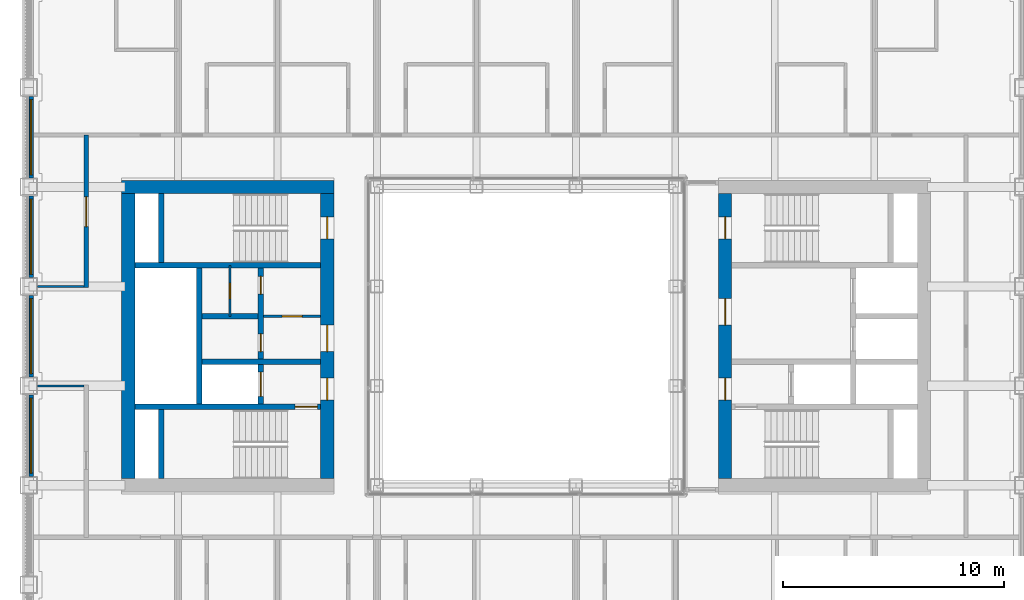
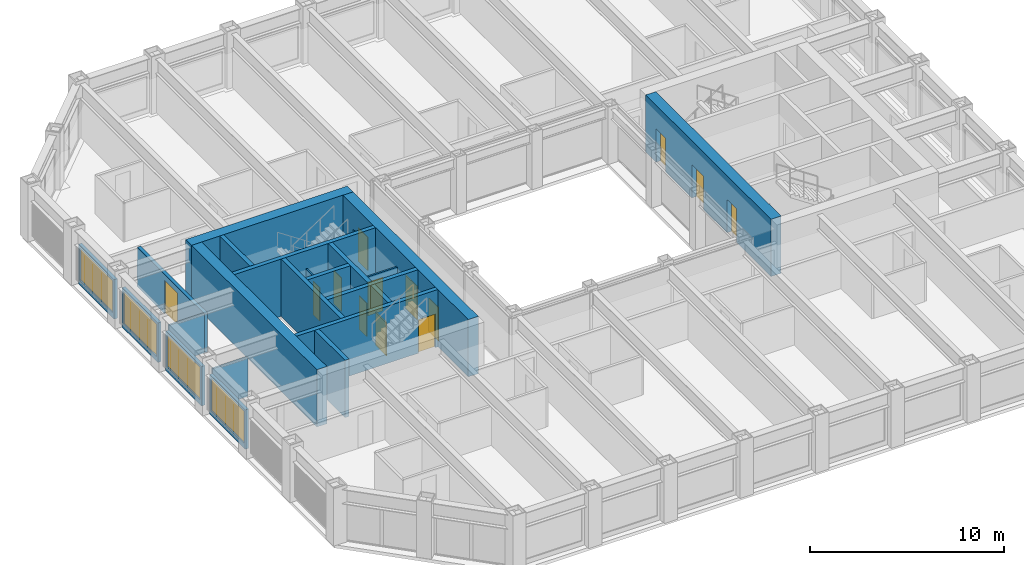
# One storey, part 11 of 17: 21 walls, 13 doors, 4 windows, 17 openings.
"""IFC4 building model written with IfcOpenShell, lengths in metres."""

from ifc_helpers import new_model, si_unit, direction, frame, frame_2d, origin, place, context, subcontext, project, spatial, rectangle, extrude, material, layer, layer_set, type_object, element, fill, save


model = new_model("IFC4")

# Units and contexts
model_context = context("Model", 3, precision=1e-05, world=origin(), true_north=direction((0.0, 1.0)))
body_context = subcontext(model_context, "Body", "Model", "MODEL_VIEW")
ifc_project = project(units=[si_unit("LENGTHUNIT", "METRE"), si_unit("AREAUNIT", "SQUARE_METRE"), si_unit("VOLUMEUNIT", "CUBIC_METRE"), si_unit("PLANEANGLEUNIT", "RADIAN"), si_unit("MASSUNIT", "GRAM", prefix="KILO")], contexts=[model_context])

# Site, building, storey
site_placement = place(None, origin())
site = spatial("IfcSite", under=ifc_project, at=site_placement, CompositionType="ELEMENT")
building_placement = place(site_placement, origin())
building = spatial("IfcBuilding", under=site, at=building_placement, Name="Msasa Ring Tower", CompositionType="ELEMENT")
storey_placement = place(building_placement, frame((0.0, 0.0, 143.60009765625)))
storey = spatial("IfcBuildingStorey", under=building, at=storey_placement, Name="L37", CompositionType="ELEMENT", Elevation=143.60009765625)

# Wall, openings, doors
ifc_material_1 = material(Name="Concrete C60/75", Category="concrete")
ifc_layer_1 = layer(ifc_material_1, 0.60009765625)
ifc_layer_set_1 = layer_set([ifc_layer_1], Name="CW2 CORE WALL 600")
wall_type_1 = type_object("IfcWallType", Name="CW2 CORE WALL 600", PredefinedType="SHEAR", material=ifc_layer_set_1)
wall_1_placement = place(storey_placement, frame((9.0, -6.449951171875, 0.0), z_axis=(0.0, 0.0, 1.0), x_axis=(0.0, 1.0, 0.0)))
wall_1 = element("IfcWall", 1, at=wall_1_placement, inside=storey, type_object=wall_type_1, Name="E core wall W L37", PredefinedType="SHEAR", context=body_context, shape_type="SweptSolid", body=[
    extrude(rectangle(XDim=12.89990234375, YDim=0.60009765625, at=frame_2d((6.449951171875, 0.0))), origin(), (0.0, 0.0, 1.0), 3.599853515625),
])
opening_1_placement = place(wall_1_placement, frame((3.550048828125, 0.0, 0.0)))
opening_1 = element("IfcOpeningElement", 2, at=opening_1_placement, cuts=wall_1, Name="Opening HC-029", PredefinedType="OPENING", context=body_context, shape_type="SweptSolid", body=[
    extrude(rectangle(XDim=1.0, YDim=2.10009765625, at=frame_2d((0.5, 1.050048828125))), frame((0.0, 0.31005859375, 0.0), z_axis=(0.0, -1.0, 0.0), x_axis=(1.0, 0.0, 0.0)), (0.0, 0.0, 1.0), 0.6201171875),
])
opening_2_placement = place(wall_1_placement, frame((6.949951171875, 0.0, 0.0)))
opening_2 = element("IfcOpeningElement", 3, at=opening_2_placement, cuts=wall_1, Name="Opening HC-023", PredefinedType="OPENING", context=body_context, shape_type="SweptSolid", body=[
    extrude(rectangle(XDim=1.199951171875, YDim=2.10009765625, at=frame_2d((0.60009765625, 1.050048828125))), frame((0.0, 0.31005859375, 0.0), z_axis=(0.0, -1.0, 0.0), x_axis=(1.0, 0.0, 0.0)), (0.0, 0.0, 1.0), 0.6201171875),
])
opening_3_placement = place(wall_1_placement, frame((10.85009765625, 0.0, 0.0)))
opening_3 = element("IfcOpeningElement", 4, at=opening_3_placement, cuts=wall_1, Name="Opening HC-020", PredefinedType="OPENING", context=body_context, shape_type="SweptSolid", body=[
    extrude(rectangle(XDim=1.0, YDim=2.10009765625, at=frame_2d((0.5, 1.050048828125))), frame((0.0, 0.31005859375, 0.0), z_axis=(0.0, -1.0, 0.0), x_axis=(1.0, 0.0, 0.0)), (0.0, 0.0, 1.0), 0.6201171875),
])
ifc_material_2 = material(Name="Timber door leaf in a steel frame", Category="steel")
door_type_1 = type_object("IfcDoorType", Name="D4 LOBBY DOOR 1000x2100", OperationType="SINGLE_SWING_LEFT", PredefinedType="DOOR", material=ifc_material_2)
door_1_placement = place(opening_1_placement, origin())
door_1 = element("IfcDoor", 5, at=door_1_placement, inside=storey, type_object=door_type_1, Name="Door L37-EFFL", OperationType="SINGLE_SWING_LEFT", OverallHeight=2.10009765625, OverallWidth=1.0, PredefinedType="DOOR", context=body_context, shape_type="SweptSolid", body=[
    extrude(rectangle(XDim=1.0, YDim=2.10009765625, at=frame_2d((0.5, 1.050048828125))), frame((0.0, 0.02490234375, 0.0), z_axis=(0.0, -1.0, 0.0), x_axis=(1.0, 0.0, 0.0)), (0.0, 0.0, 1.0), 0.050048828125),
])
fill(opening_1, door_1)
ifc_material_3 = material(Name="Timber door leaf in a steel frame", Category="steel")
door_type_2 = type_object("IfcDoorType", Name="D5 WIDE LOBBY DOOR 1200x2100", OperationType="SINGLE_SWING_LEFT", PredefinedType="DOOR", material=ifc_material_3)
door_2_placement = place(opening_2_placement, origin())
door_2 = element("IfcDoor", 6, at=door_2_placement, inside=storey, type_object=door_type_2, Name="Door L37-ELL", OperationType="SINGLE_SWING_RIGHT", OverallHeight=2.10009765625, OverallWidth=1.199951171875, PredefinedType="DOOR", context=body_context, shape_type="SweptSolid", body=[
    extrude(rectangle(XDim=1.199951171875, YDim=2.10009765625, at=frame_2d((0.60009765625, 1.050048828125))), frame((0.0, 0.02490234375, 0.0), z_axis=(0.0, -1.0, 0.0), x_axis=(1.0, 0.0, 0.0)), (0.0, 0.0, 1.0), 0.050048828125),
])
fill(opening_2, door_2)
ifc_material_4 = material(Name="Timber door leaf in a steel frame", Category="steel")
door_type_3 = type_object("IfcDoorType", Name="D6 STAIR DOOR 1000x2100", OperationType="SINGLE_SWING_LEFT", PredefinedType="DOOR", material=ifc_material_4)
door_3_placement = place(opening_3_placement, origin())
door_3 = element("IfcDoor", 7, at=door_3_placement, inside=storey, type_object=door_type_3, Name="Door L37-ESTB", OperationType="SINGLE_SWING_RIGHT", OverallHeight=2.10009765625, OverallWidth=1.0, PredefinedType="DOOR", context=body_context, shape_type="SweptSolid", body=[
    extrude(rectangle(XDim=1.0, YDim=2.10009765625, at=frame_2d((0.5, 1.050048828125))), frame((0.0, 0.02490234375, 0.0), z_axis=(0.0, -1.0, 0.0), x_axis=(1.0, 0.0, 0.0)), (0.0, 0.0, 1.0), 0.050048828125),
])
fill(opening_3, door_3)

# Wall
wall_2_placement = place(storey_placement, frame((-8.699951171875, 6.75, 0.0), z_axis=(0.0, 0.0, 1.0), x_axis=(-1.0, 0.0, 0.0)))
element("IfcWall", 8, at=wall_2_placement, inside=storey, type_object=wall_type_1, Name="W core wall N L37", PredefinedType="SHEAR", context=body_context, shape_type="SweptSolid", body=[
    extrude(rectangle(XDim=9.60009765625, YDim=0.60009765625, at=frame_2d((4.800048828125, 0.0))), origin(), (0.0, 0.0, 1.0), 3.599853515625),
])

# Wall, openings, doors
wall_3_placement = place(storey_placement, frame((-9.0, -6.449951171875, 0.0), z_axis=(0.0, 0.0, 1.0), x_axis=(0.0, 1.0, 0.0)))
wall_3 = element("IfcWall", 9, at=wall_3_placement, inside=storey, type_object=wall_type_1, Name="W core wall W L37", PredefinedType="SHEAR", context=body_context, shape_type="SweptSolid", body=[
    extrude(rectangle(XDim=12.89990234375, YDim=0.60009765625, at=frame_2d((6.449951171875, 0.0))), origin(), (0.0, 0.0, 1.0), 3.599853515625),
])
opening_4_placement = place(wall_3_placement, frame((3.550048828125, 0.0, 0.0)))
opening_4 = element("IfcOpeningElement", 10, at=opening_4_placement, cuts=wall_3, Name="Opening HC-028", PredefinedType="OPENING", context=body_context, shape_type="SweptSolid", body=[
    extrude(rectangle(XDim=1.0, YDim=2.10009765625, at=frame_2d((0.5, 1.050048828125))), frame((0.0, 0.31005859375, 0.0), z_axis=(0.0, -1.0, 0.0), x_axis=(1.0, 0.0, 0.0)), (0.0, 0.0, 1.0), 0.6201171875),
])
opening_5_placement = place(wall_3_placement, frame((5.75, 0.0, 0.0)))
opening_5 = element("IfcOpeningElement", 11, at=opening_5_placement, cuts=wall_3, Name="Opening HC-026", PredefinedType="OPENING", context=body_context, shape_type="SweptSolid", body=[
    extrude(rectangle(XDim=1.199951171875, YDim=2.10009765625, at=frame_2d((0.60009765625, 1.050048828125))), frame((0.0, 0.31005859375, 0.0), z_axis=(0.0, -1.0, 0.0), x_axis=(1.0, 0.0, 0.0)), (0.0, 0.0, 1.0), 0.6201171875),
])
opening_6_placement = place(wall_3_placement, frame((10.85009765625, 0.0, 0.0)))
opening_6 = element("IfcOpeningElement", 12, at=opening_6_placement, cuts=wall_3, Name="Opening HC-019", PredefinedType="OPENING", context=body_context, shape_type="SweptSolid", body=[
    extrude(rectangle(XDim=1.0, YDim=2.10009765625, at=frame_2d((0.5, 1.050048828125))), frame((0.0, 0.31005859375, 0.0), z_axis=(0.0, -1.0, 0.0), x_axis=(1.0, 0.0, 0.0)), (0.0, 0.0, 1.0), 0.6201171875),
])
door_4_placement = place(opening_4_placement, origin())
door_4 = element("IfcDoor", 13, at=door_4_placement, inside=storey, type_object=door_type_1, Name="Door L37-WFFL", OperationType="SINGLE_SWING_LEFT", OverallHeight=2.10009765625, OverallWidth=1.0, PredefinedType="DOOR", context=body_context, shape_type="SweptSolid", body=[
    extrude(rectangle(XDim=1.0, YDim=2.10009765625, at=frame_2d((0.5, 1.050048828125))), frame((0.0, 0.02490234375, 0.0), z_axis=(0.0, -1.0, 0.0), x_axis=(1.0, 0.0, 0.0)), (0.0, 0.0, 1.0), 0.050048828125),
])
fill(opening_4, door_4)
door_5_placement = place(opening_5_placement, origin())
door_5 = element("IfcDoor", 14, at=door_5_placement, inside=storey, type_object=door_type_2, Name="Door L37-WLL", OperationType="SINGLE_SWING_LEFT", OverallHeight=2.10009765625, OverallWidth=1.199951171875, PredefinedType="DOOR", context=body_context, shape_type="SweptSolid", body=[
    extrude(rectangle(XDim=1.199951171875, YDim=2.10009765625, at=frame_2d((0.60009765625, 1.050048828125))), frame((0.0, 0.02490234375, 0.0), z_axis=(0.0, -1.0, 0.0), x_axis=(1.0, 0.0, 0.0)), (0.0, 0.0, 1.0), 0.050048828125),
])
fill(opening_5, door_5)
door_6_placement = place(opening_6_placement, origin())
door_6 = element("IfcDoor", 15, at=door_6_placement, inside=storey, type_object=door_type_3, Name="Door L37-WSTB", OperationType="SINGLE_SWING_RIGHT", OverallHeight=2.10009765625, OverallWidth=1.0, PredefinedType="DOOR", context=body_context, shape_type="SweptSolid", body=[
    extrude(rectangle(XDim=1.0, YDim=2.10009765625, at=frame_2d((0.5, 1.050048828125))), frame((0.0, 0.02490234375, 0.0), z_axis=(0.0, -1.0, 0.0), x_axis=(1.0, 0.0, 0.0)), (0.0, 0.0, 1.0), 0.050048828125),
])
fill(opening_6, door_6)

# Wall
wall_4_placement = place(storey_placement, frame((-18.0, -6.449951171875, 0.0), z_axis=(0.0, 0.0, 1.0), x_axis=(0.0, 1.0, 0.0)))
element("IfcWall", 16, at=wall_4_placement, inside=storey, type_object=wall_type_1, Name="W core wall E L37", PredefinedType="SHEAR", context=body_context, shape_type="SweptSolid", body=[
    extrude(rectangle(XDim=12.89990234375, YDim=0.60009765625, at=frame_2d((6.449951171875, 0.0))), origin(), (0.0, 0.0, 1.0), 3.599853515625),
])

# Wall, opening, door
ifc_material_5 = material(Name="Concrete C60/75", Category="concrete")
ifc_layer_2 = layer(ifc_material_5, 0.25)
ifc_layer_set_2 = layer_set([ifc_layer_2], Name="CW4 CORE INNER WALL 250")
wall_type_2 = type_object("IfcWallType", Name="CW4 CORE INNER WALL 250", PredefinedType="SHEAR", material=ifc_layer_set_2)
wall_5_placement = place(storey_placement, frame((-9.300048828125, -3.199951171875, 0.0), z_axis=(0.0, 0.0, 1.0), x_axis=(-1.0, 0.0, 0.0)))
wall_5 = element("IfcWall", 17, at=wall_5_placement, inside=storey, type_object=wall_type_2, Name="W core wall STAIRA L37", PredefinedType="SHEAR", context=body_context, shape_type="SweptSolid", body=[
    extrude(rectangle(XDim=8.39990234375, YDim=0.25, at=frame_2d((4.199951171875, 0.0))), origin(), (0.0, 0.0, 1.0), 3.599853515625),
])
opening_7_placement = place(wall_5_placement, frame((0.14990234375, 0.0, 0.0)))
opening_7 = element("IfcOpeningElement", 18, at=opening_7_placement, cuts=wall_5, Name="Opening HC-030", PredefinedType="OPENING", context=body_context, shape_type="SweptSolid", body=[
    extrude(rectangle(XDim=1.0, YDim=2.10009765625, at=frame_2d((0.5, 1.050048828125))), frame((0.0, 0.135009765625, 0.0), z_axis=(0.0, -1.0, 0.0), x_axis=(1.0, 0.0, 0.0)), (0.0, 0.0, 1.0), 0.27001953125),
])
door_7_placement = place(opening_7_placement, origin())
door_7 = element("IfcDoor", 19, at=door_7_placement, inside=storey, type_object=door_type_3, Name="Door L37-WSTA", OperationType="SINGLE_SWING_LEFT", OverallHeight=2.10009765625, OverallWidth=1.0, PredefinedType="DOOR", context=body_context, shape_type="SweptSolid", body=[
    extrude(rectangle(XDim=1.0, YDim=2.10009765625, at=frame_2d((0.5, 1.050048828125))), frame((0.0, 0.02490234375, 0.0), z_axis=(0.0, -1.0, 0.0), x_axis=(1.0, 0.0, 0.0)), (0.0, 0.0, 1.0), 0.050048828125),
])
fill(opening_7, door_7)

# Walls
wall_6_placement = place(storey_placement, frame((-9.300048828125, 3.199951171875, 0.0), z_axis=(0.0, 0.0, 1.0), x_axis=(-1.0, 0.0, 0.0)))
element("IfcWall", 20, at=wall_6_placement, inside=storey, type_object=wall_type_2, Name="W core wall STAIRB L37", PredefinedType="SHEAR", context=body_context, shape_type="SweptSolid", body=[
    extrude(rectangle(XDim=8.39990234375, YDim=0.25, at=frame_2d((4.199951171875, 0.0))), origin(), (0.0, 0.0, 1.0), 3.599853515625),
])
for number, where, z_axis, x_axis, name in (
    (21, (-16.5, -6.449951171875, 0.0), (0.0, 0.0, 1.0), (0.0, 1.0, 0.0), "W core wall RISERA L37"),
    (22, (-16.5, 3.324951171875, 0.0), (0.0, 0.0, 1.0), (0.0, 1.0, 0.0), "W core wall RISERB L37"),
):
    element("IfcWall", number, at=place(storey_placement, frame(where, z_axis=z_axis, x_axis=x_axis)), inside=storey, type_object=wall_type_2, Name=name, PredefinedType="SHEAR", context=body_context, shape_type="SweptSolid", body=[
        extrude(rectangle(XDim=3.125, YDim=0.25, at=frame_2d((1.5625, 0.0))), origin(), (0.0, 0.0, 1.0), 3.599853515625),
    ])
wall_7_placement = place(storey_placement, frame((-9.300048828125, -1.14990234375, 0.0), z_axis=(0.0, 0.0, 1.0), x_axis=(-1.0, 0.0, 0.0)))
element("IfcWall", 23, at=wall_7_placement, inside=storey, type_object=wall_type_2, Name="W core wall FFL L37", PredefinedType="SHEAR", context=body_context, shape_type="SweptSolid", body=[
    extrude(rectangle(XDim=5.375, YDim=0.25, at=frame_2d((2.6875, 0.0))), origin(), (0.0, 0.0, 1.0), 3.599853515625),
])

# Wall, openings, doors
wall_8_placement = place(storey_placement, frame((-12.0, -3.074951171875, 0.0), z_axis=(0.0, 0.0, 1.0), x_axis=(0.0, 1.0, 0.0)))
wall_8 = element("IfcWall", 24, at=wall_8_placement, inside=storey, type_object=wall_type_2, Name="W core wall LOBBY L37", PredefinedType="SHEAR", context=body_context, shape_type="SweptSolid", body=[
    extrude(rectangle(XDim=6.14990234375, YDim=0.25, at=frame_2d((3.074951171875, 0.0))), origin(), (0.0, 0.0, 1.0), 3.599853515625),
])
opening_8_placement = place(wall_8_placement, frame((2.375, 0.0, 0.0)))
opening_8 = element("IfcOpeningElement", 25, at=opening_8_placement, cuts=wall_8, Name="Opening HC-027", PredefinedType="OPENING", context=body_context, shape_type="SweptSolid", body=[
    extrude(rectangle(XDim=0.800048828125, YDim=2.10009765625, at=frame_2d((0.39990234375, 1.050048828125))), frame((0.0, 0.135009765625, 0.0), z_axis=(0.0, -1.0, 0.0), x_axis=(1.0, 0.0, 0.0)), (0.0, 0.0, 1.0), 0.27001953125),
])
opening_9_placement = place(wall_8_placement, frame((4.97509765625, 0.0, 0.0)))
opening_9 = element("IfcOpeningElement", 26, at=opening_9_placement, cuts=wall_8, Name="Opening HC-021", PredefinedType="OPENING", context=body_context, shape_type="SweptSolid", body=[
    extrude(rectangle(XDim=0.800048828125, YDim=2.10009765625, at=frame_2d((0.39990234375, 1.050048828125))), frame((0.0, 0.135009765625, 0.0), z_axis=(0.0, -1.0, 0.0), x_axis=(1.0, 0.0, 0.0)), (0.0, 0.0, 1.0), 0.27001953125),
])
opening_10_placement = place(wall_8_placement, frame((0.35009765625, 0.0, 0.0)))
opening_10 = element("IfcOpeningElement", 27, at=opening_10_placement, cuts=wall_8, Name="Opening LD1", PredefinedType="OPENING", context=body_context, shape_type="SweptSolid", body=[
    extrude(rectangle(XDim=1.10009765625, YDim=2.10009765625, at=frame_2d((0.550048828125, 1.050048828125))), frame((0.0, 0.135009765625, 0.0), z_axis=(0.0, -1.0, 0.0), x_axis=(1.0, 0.0, 0.0)), (0.0, 0.0, 1.0), 0.27001953125),
])
ifc_material_6 = material(Name="Timber door leaf in a steel frame", Category="steel")
door_type_4 = type_object("IfcDoorType", Name="D9 NARROW SERVICE DOOR 800x2100", OperationType="SINGLE_SWING_LEFT", PredefinedType="DOOR", material=ifc_material_6)
door_8_placement = place(opening_8_placement, origin())
door_8 = element("IfcDoor", 28, at=door_8_placement, inside=storey, type_object=door_type_4, Name="Door L37-WR1", OperationType="SINGLE_SWING_LEFT", OverallHeight=2.10009765625, OverallWidth=0.800048828125, PredefinedType="DOOR", context=body_context, shape_type="SweptSolid", body=[
    extrude(rectangle(XDim=0.800048828125, YDim=2.10009765625, at=frame_2d((0.39990234375, 1.050048828125))), frame((0.0, 0.02490234375, 0.0), z_axis=(0.0, -1.0, 0.0), x_axis=(1.0, 0.0, 0.0)), (0.0, 0.0, 1.0), 0.050048828125),
])
fill(opening_8, door_8)
door_9_placement = place(opening_9_placement, origin())
door_9 = element("IfcDoor", 29, at=door_9_placement, inside=storey, type_object=door_type_4, Name="Door L37-WR2", OperationType="SINGLE_SWING_RIGHT", OverallHeight=2.10009765625, OverallWidth=0.800048828125, PredefinedType="DOOR", context=body_context, shape_type="SweptSolid", body=[
    extrude(rectangle(XDim=0.800048828125, YDim=2.10009765625, at=frame_2d((0.39990234375, 1.050048828125))), frame((0.0, 0.02490234375, 0.0), z_axis=(0.0, -1.0, 0.0), x_axis=(1.0, 0.0, 0.0)), (0.0, 0.0, 1.0), 0.050048828125),
])
fill(opening_9, door_9)
ifc_material_7 = material(Name="Stainless steel lift landing door", Category="steel")
door_type_5 = type_object("IfcDoorType", Name="LD1 LIFT LANDING DOOR 1100x2100", OperationType="DOUBLE_DOOR_SLIDING", PredefinedType="DOOR", material=ifc_material_7)
door_10_placement = place(opening_10_placement, origin())
door_10 = element("IfcDoor", 30, at=door_10_placement, inside=storey, type_object=door_type_5, Name="Lift landing door FL-W L37", OperationType="DOUBLE_DOOR_SLIDING", OverallHeight=2.10009765625, OverallWidth=1.10009765625, PredefinedType="DOOR", context=body_context, shape_type="SweptSolid", body=[
    extrude(rectangle(XDim=1.10009765625, YDim=2.10009765625, at=frame_2d((0.550048828125, 1.050048828125))), frame((0.0, 0.02490234375, 0.0), z_axis=(0.0, -1.0, 0.0), x_axis=(1.0, 0.0, 0.0)), (0.0, 0.0, 1.0), 0.050048828125),
])
fill(opening_10, door_10)

# Walls
wall_9_placement = place(storey_placement, frame((-14.800048828125, -3.074951171875, 0.0), z_axis=(0.0, 0.0, 1.0), x_axis=(0.0, 1.0, 0.0)))
element("IfcWall", 31, at=wall_9_placement, inside=storey, type_object=wall_type_2, Name="W core wall SHAFT L37", PredefinedType="SHEAR", context=body_context, shape_type="SweptSolid", body=[
    extrude(rectangle(XDim=6.14990234375, YDim=0.25, at=frame_2d((3.074951171875, 0.0))), origin(), (0.0, 0.0, 1.0), 3.599853515625),
])
wall_10_placement = place(storey_placement, frame((-12.125, 0.89990234375, 0.0), z_axis=(0.0, 0.0, 1.0), x_axis=(-1.0, 0.0, 0.0)))
element("IfcWall", 32, at=wall_10_placement, inside=storey, type_object=wall_type_2, Name="W core wall LIFT1 L37", PredefinedType="SHEAR", context=body_context, shape_type="SweptSolid", body=[
    extrude(rectangle(XDim=2.550048828125, YDim=0.25, at=frame_2d((1.27490234375, 0.0))), origin(), (0.0, 0.0, 1.0), 3.599853515625),
])

# Wall, opening, window
ifc_material_8 = material(Name="Terracotta rainscreen on blockwork", Category="masonry")
ifc_layer_3 = layer(ifc_material_8, 0.199951171875)
ifc_layer_set_3 = layer_set([ifc_layer_3], Name="FW1 TERRACOTTA-LINED INFILL BAY WALL 200")
wall_type_3 = type_object("IfcWallType", Name="FW1 TERRACOTTA-LINED INFILL BAY WALL 200", PredefinedType="SOLIDWALL", material=ifc_layer_set_3)
wall_11_placement = place(storey_placement, frame((-22.39990234375, -6.344970703125, 0.0), z_axis=(0.0, 0.0, 1.0), x_axis=(0.0, 1.0, 0.0)))
wall_11 = element("IfcWall", 33, at=wall_11_placement, inside=storey, type_object=wall_type_3, Name="Infill bay wall W L37 29", PredefinedType="SOLIDWALL", context=body_context, shape_type="SweptSolid", body=[
    extrude(rectangle(XDim=3.68994140625, YDim=0.199951171875, at=frame_2d((1.844970703125, 0.0))), origin(), (0.0, 0.0, 1.0), 2.47900390625),
])
opening_11_placement = place(wall_11_placement, frame((0.14501953125, 0.0, 0.300048828125)))
opening_11 = element("IfcOpeningElement", 34, at=opening_11_placement, cuts=wall_11, Name="Opening WN2", PredefinedType="OPENING", context=body_context, shape_type="SweptSolid", body=[
    extrude(rectangle(XDim=3.39990234375, YDim=2.029052734375, at=frame_2d((1.699951171875, 1.0146484375))), frame((0.0, 0.10986328125, 0.0), z_axis=(0.0, -1.0, 0.0), x_axis=(1.0, 0.0, 0.0)), (0.0, 0.0, 1.0), 0.219970703125),
])
ifc_material_9 = material(Name="Aluminium frame with clear glass", Category="aluminium")
window_type = type_object("IfcWindowType", Name="WN2 GUEST ROOM WINDOW 3400x2029", PartitioningType="SINGLE_PANEL", PredefinedType="WINDOW", material=ifc_material_9)
window_1_placement = place(opening_11_placement, origin())
window_1 = element("IfcWindow", 35, at=window_1_placement, inside=storey, type_object=window_type, Name="Window W L37 29", OverallHeight=2.029052734375, OverallWidth=3.39990234375, PartitioningType="SINGLE_PANEL", PredefinedType="WINDOW", context=body_context, shape_type="SweptSolid", body=[
    extrude(rectangle(XDim=3.39990234375, YDim=2.029052734375, at=frame_2d((1.699951171875, 1.0146484375))), frame((0.0, 0.030029296875, 0.0), z_axis=(0.0, -1.0, 0.0), x_axis=(1.0, 0.0, 0.0)), (0.0, 0.0, 1.0), 0.06005859375),
])
fill(opening_11, window_1)

wall_12_placement = place(storey_placement, frame((-22.39990234375, -1.844970703125, 0.0), z_axis=(0.0, 0.0, 1.0), x_axis=(0.0, 1.0, 0.0)))
wall_12 = element("IfcWall", 36, at=wall_12_placement, inside=storey, type_object=wall_type_3, Name="Infill bay wall W L37 30", PredefinedType="SOLIDWALL", context=body_context, shape_type="SweptSolid", body=[
    extrude(rectangle(XDim=3.68994140625, YDim=0.199951171875, at=frame_2d((1.844970703125, 0.0))), origin(), (0.0, 0.0, 1.0), 2.47900390625),
])
opening_12_placement = place(wall_12_placement, frame((0.14501953125, 0.0, 0.300048828125)))
opening_12 = element("IfcOpeningElement", 37, at=opening_12_placement, cuts=wall_12, Name="Opening WN2", PredefinedType="OPENING", context=body_context, shape_type="SweptSolid", body=[
    extrude(rectangle(XDim=3.39990234375, YDim=2.029052734375, at=frame_2d((1.699951171875, 1.0146484375))), frame((0.0, 0.10986328125, 0.0), z_axis=(0.0, -1.0, 0.0), x_axis=(1.0, 0.0, 0.0)), (0.0, 0.0, 1.0), 0.219970703125),
])
window_2_placement = place(opening_12_placement, origin())
window_2 = element("IfcWindow", 38, at=window_2_placement, inside=storey, type_object=window_type, Name="Window W L37 30", OverallHeight=2.029052734375, OverallWidth=3.39990234375, PartitioningType="SINGLE_PANEL", PredefinedType="WINDOW", context=body_context, shape_type="SweptSolid", body=[
    extrude(rectangle(XDim=3.39990234375, YDim=2.029052734375, at=frame_2d((1.699951171875, 1.0146484375))), frame((0.0, 0.030029296875, 0.0), z_axis=(0.0, -1.0, 0.0), x_axis=(1.0, 0.0, 0.0)), (0.0, 0.0, 1.0), 0.06005859375),
])
fill(opening_12, window_2)

wall_13_placement = place(storey_placement, frame((-22.39990234375, 2.655029296875, 0.0), z_axis=(0.0, 0.0, 1.0), x_axis=(0.0, 1.0, 0.0)))
wall_13 = element("IfcWall", 39, at=wall_13_placement, inside=storey, type_object=wall_type_3, Name="Infill bay wall W L37 31", PredefinedType="SOLIDWALL", context=body_context, shape_type="SweptSolid", body=[
    extrude(rectangle(XDim=3.68994140625, YDim=0.199951171875, at=frame_2d((1.844970703125, 0.0))), origin(), (0.0, 0.0, 1.0), 2.47900390625),
])
opening_13_placement = place(wall_13_placement, frame((0.14501953125, 0.0, 0.300048828125)))
opening_13 = element("IfcOpeningElement", 40, at=opening_13_placement, cuts=wall_13, Name="Opening WN2", PredefinedType="OPENING", context=body_context, shape_type="SweptSolid", body=[
    extrude(rectangle(XDim=3.39990234375, YDim=2.029052734375, at=frame_2d((1.699951171875, 1.0146484375))), frame((0.0, 0.10986328125, 0.0), z_axis=(0.0, -1.0, 0.0), x_axis=(1.0, 0.0, 0.0)), (0.0, 0.0, 1.0), 0.219970703125),
])
window_3_placement = place(opening_13_placement, origin())
window_3 = element("IfcWindow", 41, at=window_3_placement, inside=storey, type_object=window_type, Name="Window W L37 31", OverallHeight=2.029052734375, OverallWidth=3.39990234375, PartitioningType="SINGLE_PANEL", PredefinedType="WINDOW", context=body_context, shape_type="SweptSolid", body=[
    extrude(rectangle(XDim=3.39990234375, YDim=2.029052734375, at=frame_2d((1.699951171875, 1.0146484375))), frame((0.0, 0.030029296875, 0.0), z_axis=(0.0, -1.0, 0.0), x_axis=(1.0, 0.0, 0.0)), (0.0, 0.0, 1.0), 0.06005859375),
])
fill(opening_13, window_3)

wall_14_placement = place(storey_placement, frame((-22.39990234375, 7.155029296875, 0.0), z_axis=(0.0, 0.0, 1.0), x_axis=(0.0, 1.0, 0.0)))
wall_14 = element("IfcWall", 42, at=wall_14_placement, inside=storey, type_object=wall_type_3, Name="Infill bay wall W L37 32", PredefinedType="SOLIDWALL", context=body_context, shape_type="SweptSolid", body=[
    extrude(rectangle(XDim=3.68994140625, YDim=0.199951171875, at=frame_2d((1.844970703125, 0.0))), origin(), (0.0, 0.0, 1.0), 2.47900390625),
])
opening_14_placement = place(wall_14_placement, frame((0.14501953125, 0.0, 0.300048828125)))
opening_14 = element("IfcOpeningElement", 43, at=opening_14_placement, cuts=wall_14, Name="Opening WN2", PredefinedType="OPENING", context=body_context, shape_type="SweptSolid", body=[
    extrude(rectangle(XDim=3.39990234375, YDim=2.029052734375, at=frame_2d((1.699951171875, 1.0146484375))), frame((0.0, 0.10986328125, 0.0), z_axis=(0.0, -1.0, 0.0), x_axis=(1.0, 0.0, 0.0)), (0.0, 0.0, 1.0), 0.219970703125),
])
window_4_placement = place(opening_14_placement, origin())
window_4 = element("IfcWindow", 44, at=window_4_placement, inside=storey, type_object=window_type, Name="Window W L37 32", OverallHeight=2.029052734375, OverallWidth=3.39990234375, PartitioningType="SINGLE_PANEL", PredefinedType="WINDOW", context=body_context, shape_type="SweptSolid", body=[
    extrude(rectangle(XDim=3.39990234375, YDim=2.029052734375, at=frame_2d((1.699951171875, 1.0146484375))), frame((0.0, 0.030029296875, 0.0), z_axis=(0.0, -1.0, 0.0), x_axis=(1.0, 0.0, 0.0)), (0.0, 0.0, 1.0), 0.06005859375),
])
fill(opening_14, window_4)

# Wall, opening, door
ifc_material_10 = material(Name="Concrete blockwork", Category="masonry")
ifc_layer_4 = layer(ifc_material_10, 0.199951171875)
ifc_layer_set_4 = layer_set([ifc_layer_4], Name="PT1 CORRIDOR WALL 200")
wall_type_4 = type_object("IfcWallType", Name="PT1 CORRIDOR WALL 200", PredefinedType="PARTITIONING", material=ifc_layer_set_4)
wall_15_placement = place(storey_placement, frame((-19.89990234375, 2.199951171875, 0.0), z_axis=(0.0, 0.0, 1.0), x_axis=(0.0, 1.0, 0.0)))
wall_15 = element("IfcWall", 45, at=wall_15_placement, inside=storey, type_object=wall_type_4, Name="Corridor wall L37-STRWN", PredefinedType="PARTITIONING", context=body_context, shape_type="SweptSolid", body=[
    extrude(rectangle(XDim=6.900146484375, YDim=0.199951171875, at=frame_2d((3.4501953125, 0.0))), origin(), (0.0, 0.0, 1.0), 2.473388671875),
])
opening_15_placement = place(wall_15_placement, frame((2.75, 0.0, 0.0)))
opening_15 = element("IfcOpeningElement", 46, at=opening_15_placement, cuts=wall_15, Name="Opening HC-018", PredefinedType="OPENING", context=body_context, shape_type="SweptSolid", body=[
    extrude(rectangle(XDim=1.35009765625, YDim=2.10009765625, at=frame_2d((0.675048828125, 1.050048828125))), frame((0.0, 0.10986328125, 0.0), z_axis=(0.0, -1.0, 0.0), x_axis=(1.0, 0.0, 0.0)), (0.0, 0.0, 1.0), 0.219970703125),
])
ifc_material_11 = material(Name="Timber door leaf in a steel frame", Category="steel")
door_type_6 = type_object("IfcDoorType", Name="D23 HOUSEKEEPING UNEQUAL PAIR OF DOORS 1350x2100", OperationType="SINGLE_SWING_LEFT", PredefinedType="DOOR", material=ifc_material_11)
door_11_placement = place(opening_15_placement, origin())
door_11 = element("IfcDoor", 47, at=door_11_placement, inside=storey, type_object=door_type_6, Name="Door L37-HKW", OperationType="SINGLE_SWING_LEFT", OverallHeight=2.10009765625, OverallWidth=1.35009765625, PredefinedType="DOOR", context=body_context, shape_type="SweptSolid", body=[
    extrude(rectangle(XDim=1.35009765625, YDim=2.10009765625, at=frame_2d((0.675048828125, 1.050048828125))), frame((0.0, 0.02490234375, 0.0), z_axis=(0.0, -1.0, 0.0), x_axis=(1.0, 0.0, 0.0)), (0.0, 0.0, 1.0), 0.050048828125),
])
fill(opening_15, door_11)

# Walls
ifc_material_12 = material(Name="Gypsum board on steel studs", Category="steel")
ifc_layer_5 = layer(ifc_material_12, 0.10009765625)
ifc_layer_set_5 = layer_set([ifc_layer_5], Name="PT2 STUD PARTITION 100")
wall_type_5 = type_object("IfcWallType", Name="PT2 STUD PARTITION 100", PredefinedType="PARTITIONING", material=ifc_layer_set_5)
for number, where, z_axis, x_axis, name in (
    (48, (-22.10009765625, 2.25, 0.0), (0.0, 0.0, 1.0), (1.0, 0.0, 0.0), "Partition L37-ALWN"),
    (49, (-22.10009765625, -2.25, 0.0), (0.0, 0.0, 1.0), (1.0, 0.0, 0.0), "Partition L37-ALWS"),
):
    element("IfcWall", number, at=place(storey_placement, frame(where, z_axis=z_axis, x_axis=x_axis)), inside=storey, type_object=wall_type_5, Name=name, PredefinedType="PARTITIONING", context=body_context, shape_type="SweptSolid", body=[
        extrude(rectangle(XDim=2.10009765625, YDim=0.10009765625, at=frame_2d((1.050048828125, 0.0))), origin(), (0.0, 0.0, 1.0), 2.473388671875),
    ])

# Wall, opening, door
wall_16_placement = place(storey_placement, frame((-11.875, 0.89990234375, 0.0), z_axis=(0.0, 0.0, 1.0), x_axis=(1.0, 0.0, 0.0)))
wall_16 = element("IfcWall", 50, at=wall_16_placement, inside=storey, type_object=wall_type_5, Name="Partition L37-WCP", PredefinedType="PARTITIONING", context=body_context, shape_type="SweptSolid", body=[
    extrude(rectangle(XDim=2.574951171875, YDim=0.10009765625, at=frame_2d((1.28759765625, 0.0))), origin(), (0.0, 0.0, 1.0), 2.473388671875),
])
opening_16_placement = place(wall_16_placement, frame((0.83740234375, 0.0, 0.0)))
opening_16 = element("IfcOpeningElement", 51, at=opening_16_placement, cuts=wall_16, Name="Opening HC-024", PredefinedType="OPENING", context=body_context, shape_type="SweptSolid", body=[
    extrude(rectangle(XDim=0.89990234375, YDim=2.10009765625, at=frame_2d((0.449951171875, 1.050048828125))), frame((0.0, 0.06005859375, 0.0), z_axis=(0.0, -1.0, 0.0), x_axis=(1.0, 0.0, 0.0)), (0.0, 0.0, 1.0), 0.1201171875),
])
ifc_material_13 = material(Name="Timber door leaf in a steel frame", Category="steel")
door_type_7 = type_object("IfcDoorType", Name="D22 INTERNAL HALL DOOR 900x2100", OperationType="SINGLE_SWING_LEFT", PredefinedType="DOOR", material=ifc_material_13)
door_12_placement = place(opening_16_placement, origin())
door_12 = element("IfcDoor", 52, at=door_12_placement, inside=storey, type_object=door_type_7, Name="Door L37-WCP", OperationType="SINGLE_SWING_LEFT", OverallHeight=2.10009765625, OverallWidth=0.89990234375, PredefinedType="DOOR", context=body_context, shape_type="SweptSolid", body=[
    extrude(rectangle(XDim=0.89990234375, YDim=2.10009765625, at=frame_2d((0.449951171875, 1.050048828125))), frame((0.0, 0.02490234375, 0.0), z_axis=(0.0, -1.0, 0.0), x_axis=(1.0, 0.0, 0.0)), (0.0, 0.0, 1.0), 0.050048828125),
])
fill(opening_16, door_12)

wall_17_placement = place(storey_placement, frame((-13.39990234375, 0.89990234375, 0.0), z_axis=(0.0, 0.0, 1.0), x_axis=(0.0, 1.0, 0.0)))
wall_17 = element("IfcWall", 53, at=wall_17_placement, inside=storey, type_object=wall_type_5, Name="Partition L37-WRP2", PredefinedType="PARTITIONING", context=body_context, shape_type="SweptSolid", body=[
    extrude(rectangle(XDim=2.300048828125, YDim=0.10009765625, at=frame_2d((1.14990234375, 0.0))), origin(), (0.0, 0.0, 1.0), 2.473388671875),
])
opening_17_placement = place(wall_17_placement, frame((0.800048828125, 0.0, 0.0)))
opening_17 = element("IfcOpeningElement", 54, at=opening_17_placement, cuts=wall_17, Name="Opening HC-022", PredefinedType="OPENING", context=body_context, shape_type="SweptSolid", body=[
    extrude(rectangle(XDim=0.699951171875, YDim=2.10009765625, at=frame_2d((0.35009765625, 1.050048828125))), frame((0.0, 0.06005859375, 0.0), z_axis=(0.0, -1.0, 0.0), x_axis=(1.0, 0.0, 0.0)), (0.0, 0.0, 1.0), 0.1201171875),
])
ifc_material_14 = material(Name="Timber door leaf in a steel frame", Category="steel")
door_type_8 = type_object("IfcDoorType", Name="D32 INTERNAL NARROW STORE DOOR 700x2100", OperationType="SINGLE_SWING_LEFT", PredefinedType="DOOR", material=ifc_material_14)
door_13_placement = place(opening_17_placement, origin())
door_13 = element("IfcDoor", 55, at=door_13_placement, inside=storey, type_object=door_type_8, Name="Door L37-WRC2", OperationType="SINGLE_SWING_LEFT", OverallHeight=2.10009765625, OverallWidth=0.699951171875, PredefinedType="DOOR", context=body_context, shape_type="SweptSolid", body=[
    extrude(rectangle(XDim=0.699951171875, YDim=2.10009765625, at=frame_2d((0.35009765625, 1.050048828125))), frame((0.0, 0.02490234375, 0.0), z_axis=(0.0, -1.0, 0.0), x_axis=(1.0, 0.0, 0.0)), (0.0, 0.0, 1.0), 0.050048828125),
])
fill(opening_17, door_13)

save(model, "model.ifc")
